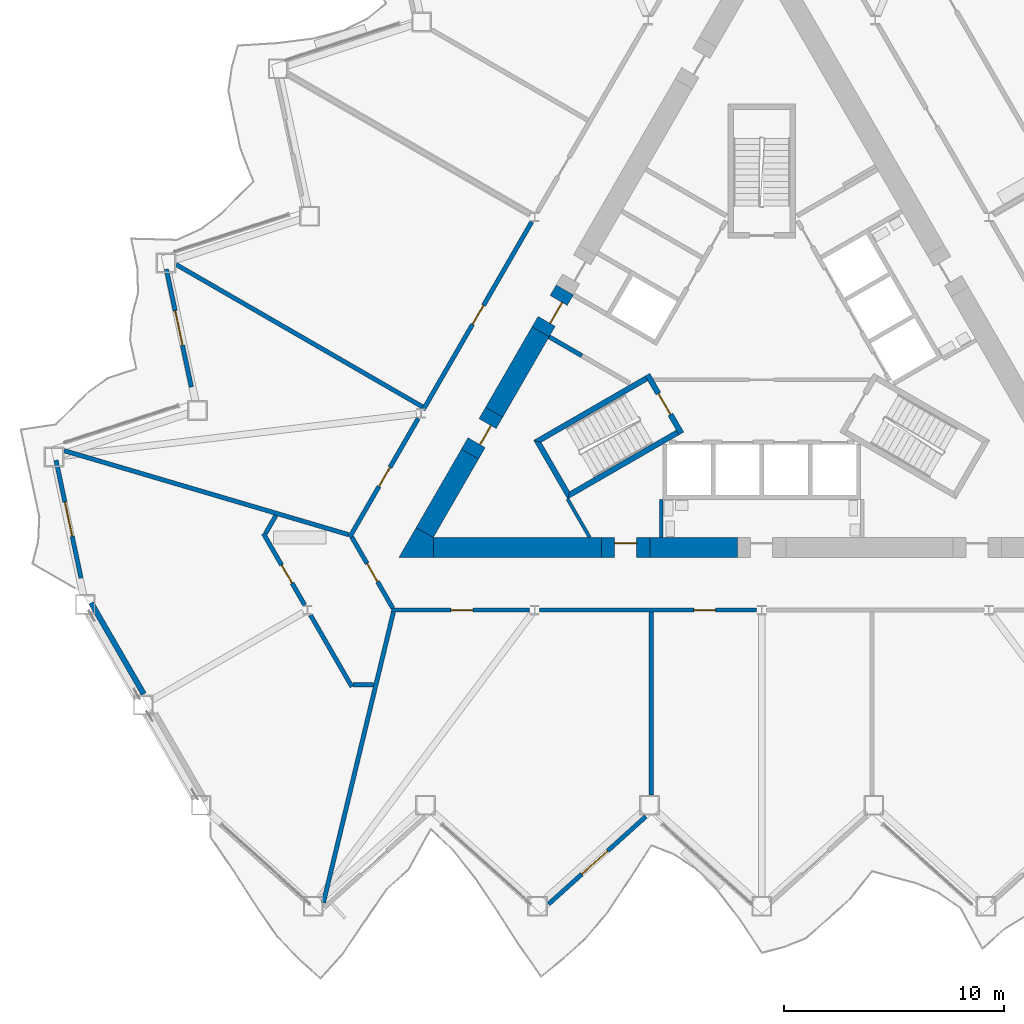
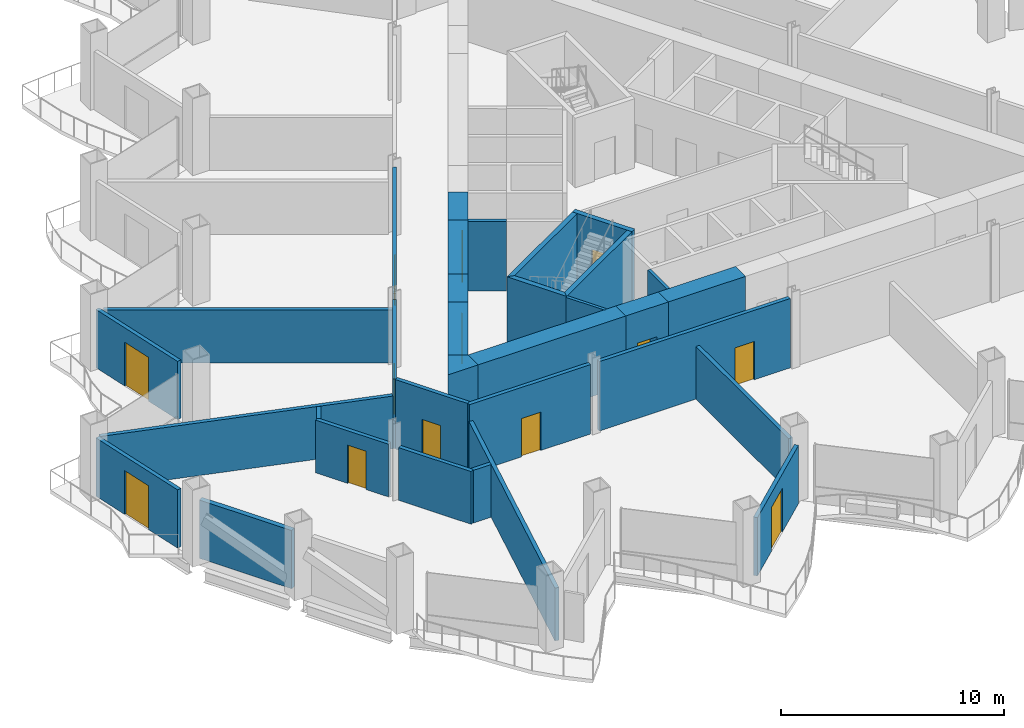
# One storey, part 10 of 21: 32 walls, 13 doors, 13 openings.
"""IFC4 building model written with IfcOpenShell, lengths in metres."""

from ifc_helpers import new_model, si_unit, direction, frame, frame_2d, origin, place, context, subcontext, project, spatial, polyline, rectangle, outline, extrude, material, layer, layer_set, type_object, element, fill, save


model = new_model("IFC4")

# Units and contexts
model_context = context("Model", 3, precision=1e-05, world=origin(), true_north=direction((0.0, 1.0)))
body_context = subcontext(model_context, "Body", "Model", "MODEL_VIEW")
ifc_project = project(units=[si_unit("LENGTHUNIT", "METRE"), si_unit("AREAUNIT", "SQUARE_METRE"), si_unit("VOLUMEUNIT", "CUBIC_METRE"), si_unit("PLANEANGLEUNIT", "RADIAN"), si_unit("MASSUNIT", "GRAM", prefix="KILO")], contexts=[model_context])

# Site, building, storey
site_placement = place(None, origin())
site = spatial("IfcSite", under=ifc_project, at=site_placement, CompositionType="ELEMENT")
building_placement = place(site_placement, origin())
building = spatial("IfcBuilding", under=site, at=building_placement, Name="Cormorant Prow Tower", CompositionType="ELEMENT")
storey_placement = place(building_placement, frame((0.0, 0.0, 112.199951171875)))
storey = spatial("IfcBuildingStorey", under=building, at=storey_placement, Name="L23", CompositionType="ELEMENT", Elevation=112.199951171875)

# Walls
ifc_material_1 = material(Name="Gypsum board partition")
ifc_layer_1 = layer(ifc_material_1, 0.14990234375)
ifc_layer_set_1 = layer_set([ifc_layer_1], Name="Gypsum board partition")
wall_type_1 = type_object("IfcWallType", Name="Core partition 150", PredefinedType="PARTITIONING", material=ifc_layer_set_1)
wall_1_placement = place(storey_placement, frame((-4.574951171875, -6.906005859375, 0.0), z_axis=(0.0, 0.0, 1.0), x_axis=(0.0, -1.0, 0.0)))
element("IfcWall", 1, at=wall_1_placement, inside=storey, type_object=wall_type_1, Name="Service room partition", PredefinedType="PARTITIONING", context=body_context, shape_type="SweptSolid", body=[
    extrude(rectangle(XDim=1.72021484375, YDim=0.14990234375, at=frame_2d((0.860107421875, 0.0))), origin(), (0.0, 0.0, 1.0), 3.800048828125),
])
wall_2_placement = place(storey_placement, frame((-8.82958984375, -6.880615234375, 0.0), z_axis=(0.0, 0.0, 1.0), x_axis=(0.500085890408, -0.865975809255, 0.0)))
element("IfcWall", 2, at=wall_2_placement, inside=storey, type_object=wall_type_1, Name="Service room partition", PredefinedType="PARTITIONING", context=body_context, shape_type="SweptSolid", body=[
    extrude(rectangle(XDim=2.015869140625, YDim=0.14990234375, at=frame_2d((1.0078125, 0.0))), origin(), (0.0, 0.0, 1.0), 3.800048828125),
])
ifc_material_2 = material(Name="Concrete 8000 psi", Category="concrete")
ifc_layer_2 = layer(ifc_material_2, 0.89990234375)
ifc_layer_set_2 = layer_set([ifc_layer_2], Name="Concrete 8000 psi")
wall_type_2 = type_object("IfcWallType", Name="Core shear wall 900", PredefinedType="SHEAR", material=ifc_layer_set_2)
wall_3_placement = place(storey_placement, frame((-14.941162109375, -9.076416015625, 0.0), z_axis=(0.0, 0.0, 1.0), x_axis=(1.0, 0.0, 0.0)))
element("IfcWall", 3, at=wall_3_placement, inside=storey, type_object=wall_type_2, Name="Core wall", PredefinedType="SHEAR", context=body_context, shape_type="SweptSolid", body=[
    extrude(rectangle(XDim=7.648681640625, YDim=0.89990234375, at=frame_2d((3.82421875, 0.0))), origin(), (0.0, 0.0, 1.0), 3.800048828125),
])
wall_4_placement = place(storey_placement, frame((-5.092529296875, -9.076416015625, 0.0), z_axis=(0.0, 0.0, 1.0), x_axis=(1.0, 0.0, 0.0)))
element("IfcWall", 4, at=wall_4_placement, inside=storey, type_object=wall_type_2, Name="Core wall", PredefinedType="SHEAR", context=body_context, shape_type="SweptSolid", body=[
    extrude(rectangle(XDim=3.992431640625, YDim=0.89990234375, at=frame_2d((1.99609375, 0.0))), origin(), (0.0, 0.0, 1.0), 3.800048828125),
])
wall_5_placement = place(storey_placement, frame((-10.060302734375, 0.7275390625, 0.0), z_axis=(0.0, 0.0, 1.0), x_axis=(-0.500021220092, -0.866013152012, 0.0)))
element("IfcWall", 5, at=wall_5_placement, inside=storey, type_object=wall_type_2, Name="Core wall", PredefinedType="SHEAR", context=body_context, shape_type="SweptSolid", body=[
    extrude(rectangle(XDim=4.220458984375, YDim=0.89990234375, at=frame_2d((2.1103515625, 0.0))), origin(), (0.0, 0.0, 1.0), 3.800048828125),
])
wall_6_placement = place(storey_placement, frame((-13.2705078125, -4.832763671875, 0.0), z_axis=(0.0, 0.0, 1.0), x_axis=(-0.499994272862, -0.866028710324, 0.0)))
element("IfcWall", 6, at=wall_6_placement, inside=storey, type_object=wall_type_2, Name="Core wall", PredefinedType="SHEAR", context=body_context, shape_type="SweptSolid", body=[
    extrude(rectangle(XDim=4.12060546875, YDim=0.89990234375, at=frame_2d((2.060302734375, 0.0))), origin(), (0.0, 0.0, 1.0), 3.800048828125),
])
wall_7_placement = place(storey_placement, origin())
element("IfcWall", 7, at=wall_7_placement, inside=storey, type_object=wall_type_2, Name="Core wall corner", PredefinedType="SHEAR", context=body_context, shape_type="SweptSolid", body=[
    extrude(outline(polyline([(-14.941162109375, -8.626220703125), (-14.941162109375, -9.5263671875), (-16.5, -9.5263671875), (-15.720703125, -8.17626953125), (-14.941162109375, -8.626220703125)])), origin(), (0.0, 0.0, 1.0), 3.800048828125),
])

# Wall, opening, door
wall_8_placement = place(storey_placement, frame((-12.170654296875, -2.927490234375, 0.0), z_axis=(0.0, 0.0, 1.0), x_axis=(-0.499946605688, -0.86605622881, 0.0)))
wall_8 = element("IfcWall", 8, at=wall_8_placement, inside=storey, type_object=wall_type_2, Name="Core wall door panel", PredefinedType="SHEAR", context=body_context, shape_type="SweptSolid", body=[
    extrude(rectangle(XDim=2.199951171875, YDim=0.89990234375, at=frame_2d((1.10009765625, 0.0))), origin(), (0.0, 0.0, 1.0), 3.800048828125),
])
opening_1_placement = place(wall_8_placement, frame((0.60009765625, 0.0, 0.0)))
opening_1 = element("IfcOpeningElement", 9, at=opening_1_placement, cuts=wall_8, Name="Opening L23-C17", PredefinedType="OPENING", context=body_context, shape_type="SweptSolid", body=[
    extrude(rectangle(XDim=1.0, YDim=2.10009765625, at=frame_2d((0.5, 1.050048828125))), frame((0.0, 0.4599609375, 0.0), z_axis=(0.0, -1.0, 0.0), x_axis=(1.0, 0.0, 0.0)), (0.0, 0.0, 1.0), 0.919921875),
])
ifc_material_3 = material(Name="Painted steel", Category="steel")
door_type_1 = type_object("IfcDoorType", Name="Service door 1000x2100", OperationType="NOTDEFINED", PredefinedType="DOOR", material=ifc_material_3)
door_1_placement = place(opening_1_placement, origin())
door_1 = element("IfcDoor", 10, at=door_1_placement, inside=storey, type_object=door_type_1, Name="Core door, Mechanical riser room", OperationType="SINGLE_SWING_RIGHT", OverallHeight=2.10009765625, OverallWidth=1.0, PredefinedType="DOOR", context=body_context, shape_type="SweptSolid", body=[
    extrude(rectangle(XDim=1.0, YDim=2.10009765625, at=frame_2d((0.5, 1.050048828125))), frame((0.0, 0.205078125, 0.0), z_axis=(0.0, -1.0, 0.0), x_axis=(1.0, 0.0, 0.0)), (0.0, 0.0, 1.0), 0.050048828125),
])
fill(opening_1, door_1)

wall_9_placement = place(storey_placement, frame((-7.29248046875, -9.076416015625, 0.0), z_axis=(0.0, 0.0, 1.0), x_axis=(1.0, 0.0, 0.0)))
wall_9 = element("IfcWall", 11, at=wall_9_placement, inside=storey, type_object=wall_type_2, Name="Core wall door panel", PredefinedType="SHEAR", context=body_context, shape_type="SweptSolid", body=[
    extrude(rectangle(XDim=2.199951171875, YDim=0.89990234375, at=frame_2d((1.10009765625, 0.0))), origin(), (0.0, 0.0, 1.0), 3.800048828125),
])
opening_2_placement = place(wall_9_placement, frame((0.60009765625, 0.0, 0.0)))
opening_2 = element("IfcOpeningElement", 12, at=opening_2_placement, cuts=wall_9, Name="Opening L23-C21", PredefinedType="OPENING", context=body_context, shape_type="SweptSolid", body=[
    extrude(rectangle(XDim=1.0, YDim=2.10009765625, at=frame_2d((0.5, 1.050048828125))), frame((0.0, 0.4599609375, 0.0), z_axis=(0.0, -1.0, 0.0), x_axis=(1.0, 0.0, 0.0)), (0.0, 0.0, 1.0), 0.919921875),
])
door_2_placement = place(opening_2_placement, origin())
door_2 = element("IfcDoor", 13, at=door_2_placement, inside=storey, type_object=door_type_1, Name="Core door, Mechanical riser room", OperationType="SINGLE_SWING_RIGHT", OverallHeight=2.10009765625, OverallWidth=1.0, PredefinedType="DOOR", context=body_context, shape_type="SweptSolid", body=[
    extrude(rectangle(XDim=1.0, YDim=2.10009765625, at=frame_2d((0.5, 1.050048828125))), frame((0.0, 0.205078125, 0.0), z_axis=(0.0, -1.0, 0.0), x_axis=(1.0, 0.0, 0.0)), (0.0, 0.0, 1.0), 0.050048828125),
])
fill(opening_2, door_2)

wall_10_placement = place(storey_placement, frame((-8.960205078125, 2.6328125, 0.0), z_axis=(0.0, 0.0, 1.0), x_axis=(-0.50002983664, -0.866008176907, 0.0)))
wall_10 = element("IfcWall", 14, at=wall_10_placement, inside=storey, type_object=wall_type_2, Name="Core wall door panel", PredefinedType="SHEAR", context=body_context, shape_type="SweptSolid", body=[
    extrude(rectangle(XDim=2.199951171875, YDim=0.89990234375, at=frame_2d((1.10009765625, 0.0))), origin(), (0.0, 0.0, 1.0), 3.800048828125),
])
opening_3_placement = place(wall_10_placement, frame((0.550048828125, 0.0, 0.0)))
opening_3 = element("IfcOpeningElement", 15, at=opening_3_placement, cuts=wall_10, Name="Opening L23-C22", PredefinedType="OPENING", context=body_context, shape_type="SweptSolid", body=[
    extrude(rectangle(XDim=1.10009765625, YDim=2.10009765625, at=frame_2d((0.550048828125, 1.050048828125))), frame((0.0, 0.4599609375, 0.0), z_axis=(0.0, -1.0, 0.0), x_axis=(1.0, 0.0, 0.0)), (0.0, 0.0, 1.0), 0.919921875),
])
ifc_material_4 = material(Name="Painted steel", Category="steel")
door_type_2 = type_object("IfcDoorType", Name="Core door 1100x2100", OperationType="NOTDEFINED", PredefinedType="DOOR", material=ifc_material_4)
door_3_placement = place(opening_3_placement, origin())
door_3 = element("IfcDoor", 16, at=door_3_placement, inside=storey, type_object=door_type_2, Name="Core door, lift lobby", OperationType="SINGLE_SWING_RIGHT", OverallHeight=2.10009765625, OverallWidth=1.10009765625, PredefinedType="DOOR", context=body_context, shape_type="SweptSolid", body=[
    extrude(rectangle(XDim=1.10009765625, YDim=2.10009765625, at=frame_2d((0.550048828125, 1.050048828125))), frame((0.0, 0.205078125, 0.0), z_axis=(0.0, -1.0, 0.0), x_axis=(1.0, 0.0, 0.0)), (0.0, 0.0, 1.0), 0.050048828125),
])
fill(opening_3, door_3)

ifc_material_5 = material(Name="Gypsum board corridor wall")
ifc_layer_3 = layer(ifc_material_5, 0.199951171875)
ifc_layer_set_3 = layer_set([ifc_layer_3], Name="Gypsum board corridor wall")
wall_type_3 = type_object("IfcWallType", Name="Corridor wall 200", PredefinedType="PARTITIONING", material=ifc_layer_set_3)
wall_11_placement = place(storey_placement, frame((-10.10107421875, -11.92626953125, 0.0), z_axis=(0.0, 0.0, 1.0), x_axis=(1.0, 0.0, 0.0)))
wall_11 = element("IfcWall", 17, at=wall_11_placement, inside=storey, type_object=wall_type_3, Name="Corridor wall", PredefinedType="PARTITIONING", context=body_context, shape_type="SweptSolid", body=[
    extrude(rectangle(XDim=9.873779296875, YDim=0.199951171875, at=frame_2d((4.93701171875, 0.0))), origin(), (0.0, 0.0, 1.0), 3.800048828125),
])
opening_4_placement = place(wall_11_placement, frame((7.009521484375, 0.0, 0.0)))
opening_4 = element("IfcOpeningElement", 18, at=opening_4_placement, cuts=wall_11, Name="Opening L23-F02", PredefinedType="OPENING", context=body_context, shape_type="SweptSolid", body=[
    extrude(rectangle(XDim=1.0, YDim=2.10009765625, at=frame_2d((0.5, 1.050048828125))), frame((0.0, 0.10986328125, 0.0), z_axis=(0.0, -1.0, 0.0), x_axis=(1.0, 0.0, 0.0)), (0.0, 0.0, 1.0), 0.219970703125),
])
ifc_material_6 = material(Name="Timber door leaf", Category="wood")
door_type_3 = type_object("IfcDoorType", Name="Office door 1000x2100", OperationType="NOTDEFINED", PredefinedType="DOOR", material=ifc_material_6)
door_4_placement = place(opening_4_placement, origin())
door_4 = element("IfcDoor", 19, at=door_4_placement, inside=storey, type_object=door_type_3, Name="Co-working room door", OperationType="SINGLE_SWING_RIGHT", OverallHeight=2.10009765625, OverallWidth=1.0, PredefinedType="DOOR", context=body_context, shape_type="SweptSolid", body=[
    extrude(rectangle(XDim=1.0, YDim=2.10009765625, at=frame_2d((0.5, 1.050048828125))), frame((0.0, 0.02490234375, 0.0), z_axis=(0.0, -1.0, 0.0), x_axis=(1.0, 0.0, 0.0)), (0.0, 0.0, 1.0), 0.050048828125),
])
fill(opening_4, door_4)

wall_12_placement = place(storey_placement, frame((-15.401611328125, -2.823486328125, 0.0), z_axis=(0.0, 0.0, 1.0), x_axis=(0.500023237168, 0.866011987384, 0.0)))
wall_12 = element("IfcWall", 20, at=wall_12_placement, inside=storey, type_object=wall_type_3, Name="Corridor wall", PredefinedType="PARTITIONING", context=body_context, shape_type="SweptSolid", body=[
    extrude(rectangle(XDim=9.88330078125, YDim=0.199951171875, at=frame_2d((4.941650390625, 0.0))), origin(), (0.0, 0.0, 1.0), 3.800048828125),
])
opening_5_placement = place(wall_12_placement, frame((4.4921875, 0.0, 0.0)))
opening_5 = element("IfcOpeningElement", 21, at=opening_5_placement, cuts=wall_12, Name="Opening L23-F11", PredefinedType="OPENING", context=body_context, shape_type="SweptSolid", body=[
    extrude(rectangle(XDim=1.0, YDim=2.10009765625, at=frame_2d((0.5, 1.050048828125))), frame((0.0, 0.10986328125, 0.0), z_axis=(0.0, -1.0, 0.0), x_axis=(1.0, 0.0, 0.0)), (0.0, 0.0, 1.0), 0.219970703125),
])
door_5_placement = place(opening_5_placement, origin())
door_5 = element("IfcDoor", 22, at=door_5_placement, inside=storey, type_object=door_type_3, Name="Open-plan office door", OperationType="SINGLE_SWING_RIGHT", OverallHeight=2.10009765625, OverallWidth=1.0, PredefinedType="DOOR", context=body_context, shape_type="SweptSolid", body=[
    extrude(rectangle(XDim=1.0, YDim=2.10009765625, at=frame_2d((0.5, 1.050048828125))), frame((0.0, 0.02490234375, 0.0), z_axis=(0.0, -1.0, 0.0), x_axis=(1.0, 0.0, 0.0)), (0.0, 0.0, 1.0), 0.050048828125),
])
fill(opening_5, door_5)

wall_13_placement = place(storey_placement, frame((-16.830810546875, -11.92626953125, 0.0), z_axis=(0.0, 0.0, 1.0), x_axis=(1.0, 0.0, 0.0)))
wall_13 = element("IfcWall", 23, at=wall_13_placement, inside=storey, type_object=wall_type_3, Name="Corridor wall", PredefinedType="PARTITIONING", context=body_context, shape_type="SweptSolid", body=[
    extrude(rectangle(XDim=6.27490234375, YDim=0.199951171875, at=frame_2d((3.137451171875, 0.0))), origin(), (0.0, 0.0, 1.0), 3.800048828125),
])
opening_6_placement = place(wall_13_placement, frame((2.688232421875, 0.0, 0.0)))
opening_6 = element("IfcOpeningElement", 24, at=opening_6_placement, cuts=wall_13, Name="Opening L23-F01", PredefinedType="OPENING", context=body_context, shape_type="SweptSolid", body=[
    extrude(rectangle(XDim=1.0, YDim=2.10009765625, at=frame_2d((0.5, 1.050048828125))), frame((0.0, 0.10986328125, 0.0), z_axis=(0.0, -1.0, 0.0), x_axis=(1.0, 0.0, 0.0)), (0.0, 0.0, 1.0), 0.219970703125),
])
door_6_placement = place(opening_6_placement, origin())
door_6 = element("IfcDoor", 25, at=door_6_placement, inside=storey, type_object=door_type_3, Name="Tenant suite door", OperationType="SINGLE_SWING_RIGHT", OverallHeight=2.10009765625, OverallWidth=1.0, PredefinedType="DOOR", context=body_context, shape_type="SweptSolid", body=[
    extrude(rectangle(XDim=1.0, YDim=2.10009765625, at=frame_2d((0.5, 1.050048828125))), frame((0.0, 0.02490234375, 0.0), z_axis=(0.0, -1.0, 0.0), x_axis=(1.0, 0.0, 0.0)), (0.0, 0.0, 1.0), 0.050048828125),
])
fill(opening_6, door_6)

wall_14_placement = place(storey_placement, frame((-18.743896484375, -8.61279296875, 0.0), z_axis=(0.0, 0.0, 1.0), x_axis=(0.499997920671, 0.866026604282, 0.0)))
wall_14 = element("IfcWall", 26, at=wall_14_placement, inside=storey, type_object=wall_type_3, Name="Corridor wall", PredefinedType="PARTITIONING", context=body_context, shape_type="SweptSolid", body=[
    extrude(rectangle(XDim=6.23974609375, YDim=0.199951171875, at=frame_2d((3.119873046875, 0.0))), origin(), (0.0, 0.0, 1.0), 3.800048828125),
])
opening_7_placement = place(wall_14_placement, frame((2.67041015625, 0.0, 0.0)))
opening_7 = element("IfcOpeningElement", 27, at=opening_7_placement, cuts=wall_14, Name="Opening L23-F12", PredefinedType="OPENING", context=body_context, shape_type="SweptSolid", body=[
    extrude(rectangle(XDim=1.0, YDim=2.10009765625, at=frame_2d((0.5, 1.050048828125))), frame((0.0, 0.10986328125, 0.0), z_axis=(0.0, -1.0, 0.0), x_axis=(1.0, 0.0, 0.0)), (0.0, 0.0, 1.0), 0.219970703125),
])
door_7_placement = place(opening_7_placement, origin())
door_7 = element("IfcDoor", 28, at=door_7_placement, inside=storey, type_object=door_type_3, Name="Tenant suite door", OperationType="SINGLE_SWING_RIGHT", OverallHeight=2.10009765625, OverallWidth=1.0, PredefinedType="DOOR", context=body_context, shape_type="SweptSolid", body=[
    extrude(rectangle(XDim=1.0, YDim=2.10009765625, at=frame_2d((0.5, 1.050048828125))), frame((0.0, 0.02490234375, 0.0), z_axis=(0.0, -1.0, 0.0), x_axis=(1.0, 0.0, 0.0)), (0.0, 0.0, 1.0), 0.050048828125),
])
fill(opening_7, door_7)

wall_15_placement = place(storey_placement, frame((-18.643798828125, -8.61279296875, 0.0), z_axis=(0.0, 0.0, 1.0), x_axis=(0.499958791762, -0.866049194065, 0.0)))
wall_15 = element("IfcWall", 29, at=wall_15_placement, inside=storey, type_object=wall_type_3, Name="Corridor wall", PredefinedType="PARTITIONING", context=body_context, shape_type="SweptSolid", body=[
    extrude(rectangle(XDim=3.725830078125, YDim=0.199951171875, at=frame_2d((1.86279296875, 0.0))), origin(), (0.0, 0.0, 1.0), 3.800048828125),
])
opening_8_placement = place(wall_15_placement, frame((1.387939453125, 0.0, 0.0)))
opening_8 = element("IfcOpeningElement", 30, at=opening_8_placement, cuts=wall_15, Name="Opening L23-F13", PredefinedType="OPENING", context=body_context, shape_type="SweptSolid", body=[
    extrude(rectangle(XDim=0.949951171875, YDim=2.10009765625, at=frame_2d((0.47509765625, 1.050048828125))), frame((0.0, 0.10986328125, 0.0), z_axis=(0.0, -1.0, 0.0), x_axis=(1.0, 0.0, 0.0)), (0.0, 0.0, 1.0), 0.219970703125),
])
ifc_material_7 = material(Name="Timber door leaf", Category="wood")
door_type_4 = type_object("IfcDoorType", Name="Store door 950x2100", OperationType="NOTDEFINED", PredefinedType="DOOR", material=ifc_material_7)
door_8_placement = place(opening_8_placement, origin())
door_8 = element("IfcDoor", 31, at=door_8_placement, inside=storey, type_object=door_type_4, Name="Tea point and pantry door", OperationType="SINGLE_SWING_RIGHT", OverallHeight=2.10009765625, OverallWidth=0.949951171875, PredefinedType="DOOR", context=body_context, shape_type="SweptSolid", body=[
    extrude(rectangle(XDim=0.949951171875, YDim=2.10009765625, at=frame_2d((0.47509765625, 1.050048828125))), frame((0.0, 0.02490234375, 0.0), z_axis=(0.0, -1.0, 0.0), x_axis=(1.0, 0.0, 0.0)), (0.0, 0.0, 1.0), 0.050048828125),
])
fill(opening_8, door_8)

# Walls
ifc_material_8 = material(Name="Gypsum board demising wall")
ifc_layer_4 = layer(ifc_material_8, 0.199951171875)
ifc_layer_set_4 = layer_set([ifc_layer_4], Name="Gypsum board demising wall")
wall_type_4 = type_object("IfcWallType", Name="Demising wall 200", PredefinedType="PARTITIONING", material=ifc_layer_set_4)
wall_16_placement = place(storey_placement, frame((-19.939697265625, -25.244384765625, 0.0), z_axis=(0.0, 0.0, 1.0), x_axis=(0.234226353532, 0.972182089586, 0.0)))
element("IfcWall", 32, at=wall_16_placement, inside=storey, type_object=wall_type_4, Name="Demising wall", PredefinedType="PARTITIONING", context=body_context, shape_type="SweptSolid", body=[
    extrude(rectangle(XDim=13.599365234375, YDim=0.199951171875, at=frame_2d((6.7998046875, 0.0))), origin(), (0.0, 0.0, 1.0), 2.88525390625),
])
wall_17_placement = place(storey_placement, frame((-31.736083984375, -4.674560546875, 0.0), z_axis=(0.0, 0.0, 1.0), x_axis=(0.959053889024, -0.283223653581, 0.0)))
element("IfcWall", 33, at=wall_17_placement, inside=storey, type_object=wall_type_4, Name="Demising wall", PredefinedType="PARTITIONING", context=body_context, shape_type="SweptSolid", body=[
    extrude(rectangle(XDim=13.4990234375, YDim=0.199951171875, at=frame_2d((6.74951171875, 0.0))), origin(), (0.0, 0.0, 1.0), 2.88525390625),
])
wall_18_placement = place(storey_placement, frame((-26.63623046875, 3.789794921875, 0.0), z_axis=(0.0, 0.0, 1.0), x_axis=(0.866029074283, -0.499993642455, 0.0)))
element("IfcWall", 34, at=wall_18_placement, inside=storey, type_object=wall_type_4, Name="Demising wall", PredefinedType="PARTITIONING", context=body_context, shape_type="SweptSolid", body=[
    extrude(rectangle(XDim=12.936279296875, YDim=0.199951171875, at=frame_2d((6.46826171875, 0.0))), origin(), (0.0, 0.0, 1.0), 2.88525390625),
])
wall_19_placement = place(storey_placement, frame((-5.01806640625, -20.34716796875, 0.0), z_axis=(0.0, 0.0, 1.0), x_axis=(0.0, 1.0, 0.0)))
element("IfcWall", 35, at=wall_19_placement, inside=storey, type_object=wall_type_4, Name="Demising wall", PredefinedType="PARTITIONING", context=body_context, shape_type="SweptSolid", body=[
    extrude(rectangle(XDim=8.32080078125, YDim=0.199951171875, at=frame_2d((4.160400390625, 0.0))), origin(), (0.0, 0.0, 1.0), 2.88525390625),
])
wall_20_placement = place(storey_placement, frame((-20.525634765625, -12.15380859375, 0.0), z_axis=(0.0, 0.0, 1.0), x_axis=(0.500046282919, -0.86599868068, 0.0)))
element("IfcWall", 36, at=wall_20_placement, inside=storey, type_object=wall_type_4, Name="Demising wall", PredefinedType="PARTITIONING", context=body_context, shape_type="SweptSolid", body=[
    extrude(rectangle(XDim=3.763427734375, YDim=0.199951171875, at=frame_2d((1.8818359375, 0.0))), origin(), (0.0, 0.0, 1.0), 2.88525390625),
])

# Wall, opening, door
wall_21_placement = place(storey_placement, frame((-22.669921875, -8.439697265625, 0.0), z_axis=(0.0, 0.0, 1.0), x_axis=(0.500018191375, -0.866014900734, 0.0)))
wall_21 = element("IfcWall", 37, at=wall_21_placement, inside=storey, type_object=wall_type_4, Name="Demising wall", PredefinedType="PARTITIONING", context=body_context, shape_type="SweptSolid", body=[
    extrude(rectangle(XDim=3.763427734375, YDim=0.199951171875, at=frame_2d((1.8818359375, 0.0))), origin(), (0.0, 0.0, 1.0), 2.88525390625),
])
opening_9_placement = place(wall_21_placement, frame((1.658203125, 0.0, 0.0)))
opening_9 = element("IfcOpeningElement", 38, at=opening_9_placement, cuts=wall_21, Name="Opening L23-F14", PredefinedType="OPENING", context=body_context, shape_type="SweptSolid", body=[
    extrude(rectangle(XDim=0.949951171875, YDim=2.10009765625, at=frame_2d((0.47509765625, 1.050048828125))), frame((0.0, 0.10986328125, 0.0), z_axis=(0.0, -1.0, 0.0), x_axis=(1.0, 0.0, 0.0)), (0.0, 0.0, 1.0), 0.219970703125),
])
door_9_placement = place(opening_9_placement, origin())
door_9 = element("IfcDoor", 39, at=door_9_placement, inside=storey, type_object=door_type_4, Name="Print and copy room door", OperationType="SINGLE_SWING_LEFT", OverallHeight=2.10009765625, OverallWidth=0.949951171875, PredefinedType="DOOR", context=body_context, shape_type="SweptSolid", body=[
    extrude(rectangle(XDim=0.949951171875, YDim=2.10009765625, at=frame_2d((0.47509765625, 1.050048828125))), frame((0.0, 0.02490234375, 0.0), z_axis=(0.0, -1.0, 0.0), x_axis=(1.0, 0.0, 0.0)), (0.0, 0.0, 1.0), 0.050048828125),
])
fill(opening_9, door_9)

# Walls
for number, where, z_axis, x_axis, name in (
    (40, (-18.593994140625, -15.326416015625, 0.0), (0.0, 0.0, 1.0), (1.0, 0.0, 0.0), "Demising wall"),
    (41, (-22.56982421875, -8.439697265625, 0.0), (0.0, 0.0, 1.0), (0.500006071987, 0.866021898093, 0.0), "Demising wall"),
):
    element("IfcWall", number, at=place(storey_placement, frame(where, z_axis=z_axis, x_axis=x_axis)), inside=storey, type_object=wall_type_4, Name=name, PredefinedType="PARTITIONING", context=body_context, shape_type="SweptSolid", body=[
        extrude(rectangle(XDim=0.94384765625, YDim=0.199951171875, at=frame_2d((0.471923828125, 0.0))), origin(), (0.0, 0.0, 1.0), 2.88525390625),
    ])
ifc_material_9 = material(Name="Concrete 8000 psi", Category="concrete")
ifc_layer_5 = layer(ifc_material_9, 0.199951171875)
ifc_layer_set_5 = layer_set([ifc_layer_5], Name="Concrete 8000 psi")
wall_type_5 = type_object("IfcWallType", Name="Lift shaft wall 200", PredefinedType="SHEAR", material=ifc_layer_set_5)
wall_22_placement = place(storey_placement, frame((-8.180908203125, -0.357421875, 0.0), z_axis=(0.0, 0.0, 1.0), x_axis=(-0.866024871741, 0.500000921525, 0.0)))
element("IfcWall", 42, at=wall_22_placement, inside=storey, type_object=wall_type_5, Name="Lobby passage wall", PredefinedType="SHEAR", context=body_context, shape_type="SweptSolid", body=[
    extrude(rectangle(XDim=1.72021484375, YDim=0.199951171875, at=frame_2d((0.860107421875, 0.0))), origin(), (0.0, 0.0, 1.0), 3.800048828125),
])
ifc_material_10 = material(Name="Concrete 8000 psi", Category="concrete")
ifc_layer_6 = layer(ifc_material_10, 0.25)
ifc_layer_set_6 = layer_set([ifc_layer_6], Name="Concrete 8000 psi")
wall_type_6 = type_object("IfcWallType", Name="Stair wall 250", PredefinedType="SHEAR", material=ifc_layer_set_6)
wall_23_placement = place(storey_placement, origin())
element("IfcWall", 43, at=wall_23_placement, inside=storey, type_object=wall_type_6, Name="Stair ST1 enclosure wall (flank)", PredefinedType="SHEAR", context=body_context, shape_type="SweptSolid", body=[
    extrude(outline(polyline([(-5.30712890625, -1.28125), (-10.37353515625, -4.206298828125), (-10.031982421875, -4.2978515625), (-5.18212890625, -1.497802734375), (-5.30712890625, -1.28125)])), origin(), (0.0, 0.0, 1.0), 3.800048828125),
])
wall_24_placement = place(storey_placement, origin())
element("IfcWall", 44, at=wall_24_placement, inside=storey, type_object=wall_type_6, Name="Stair ST1 enclosure wall (end)", PredefinedType="SHEAR", context=body_context, shape_type="SweptSolid", body=[
    extrude(outline(polyline([(-10.37353515625, -4.206298828125), (-8.82958984375, -6.880615234375), (-8.738037109375, -6.5390625), (-10.031982421875, -4.2978515625), (-10.37353515625, -4.206298828125)])), origin(), (0.0, 0.0, 1.0), 3.800048828125),
])
wall_25_placement = place(storey_placement, origin())
element("IfcWall", 45, at=wall_25_placement, inside=storey, type_object=wall_type_6, Name="Stair ST1 enclosure wall (flank)", PredefinedType="SHEAR", context=body_context, shape_type="SweptSolid", body=[
    extrude(outline(polyline([(-8.738037109375, -6.5390625), (-8.82958984375, -6.880615234375), (-3.76318359375, -3.95556640625), (-3.88818359375, -3.739013671875), (-8.738037109375, -6.5390625)])), origin(), (0.0, 0.0, 1.0), 3.800048828125),
])

# Wall, opening, door
wall_26_placement = place(storey_placement, frame((-5.198974609375, -1.21875, 0.0), z_axis=(0.0, 0.0, 1.0), x_axis=(0.499982516597, -0.866035497597, 0.0)))
wall_26 = element("IfcWall", 46, at=wall_26_placement, inside=storey, type_object=wall_type_6, Name="Stair ST1 door wall", PredefinedType="SHEAR", context=body_context, shape_type="SweptSolid", body=[
    extrude(rectangle(XDim=3.087890625, YDim=0.25, at=frame_2d((1.5439453125, 0.0))), origin(), (0.0, 0.0, 1.0), 3.800048828125),
])
opening_10_placement = place(wall_26_placement, frame((0.993896484375, 0.0, 0.0)))
opening_10 = element("IfcOpeningElement", 47, at=opening_10_placement, cuts=wall_26, Name="Opening L23-C12", PredefinedType="OPENING", context=body_context, shape_type="SweptSolid", body=[
    extrude(rectangle(XDim=1.10009765625, YDim=2.10009765625, at=frame_2d((0.550048828125, 1.050048828125))), frame((0.0, 0.135009765625, 0.0), z_axis=(0.0, -1.0, 0.0), x_axis=(1.0, 0.0, 0.0)), (0.0, 0.0, 1.0), 0.27001953125),
])
ifc_material_11 = material(Name="Painted steel", Category="steel")
door_type_5 = type_object("IfcDoorType", Name="Stair door 1100x2100", OperationType="NOTDEFINED", PredefinedType="DOOR", material=ifc_material_11)
door_10_placement = place(opening_10_placement, origin())
door_10 = element("IfcDoor", 48, at=door_10_placement, inside=storey, type_object=door_type_5, Name="Stair ST1 door", OperationType="SINGLE_SWING_LEFT", OverallHeight=2.10009765625, OverallWidth=1.10009765625, PredefinedType="DOOR", context=body_context, shape_type="SweptSolid", body=[
    extrude(rectangle(XDim=1.10009765625, YDim=2.10009765625, at=frame_2d((0.550048828125, 1.050048828125))), frame((0.0, 0.02490234375, 0.0), z_axis=(0.0, -1.0, 0.0), x_axis=(1.0, 0.0, 0.0)), (0.0, 0.0, 1.0), 0.050048828125),
])
fill(opening_10, door_10)

# Wall
ifc_material_12 = material(Name="Terracotta", Category="masonry")
ifc_layer_7 = layer(ifc_material_12, 0.25)
ifc_layer_set_7 = layer_set([ifc_layer_7], Name="Terracotta")
wall_type_7 = type_object("IfcWallType", Name="Terracotta bay wall 250", PredefinedType="SOLIDWALL", material=ifc_layer_set_7)
wall_27_placement = place(storey_placement, frame((-30.50048828125, -11.604248046875, 0.0), z_axis=(0.0, 0.0, 1.0), x_axis=(0.499984810975, -0.866034172995, 0.0)))
element("IfcWall", 49, at=wall_27_placement, inside=storey, type_object=wall_type_7, Name="Terracotta bay wall WSW00", PredefinedType="SOLIDWALL", context=body_context, shape_type="SweptSolid", body=[
    extrude(rectangle(XDim=4.779541015625, YDim=0.25, at=frame_2d((2.3896484375, 0.0))), origin(), (0.0, 0.0, 1.0), 3.18896484375),
])

# Wall, opening, door
ifc_material_13 = material(Name="Terracotta", Category="masonry")
ifc_layer_8 = layer(ifc_material_13, 0.199951171875)
ifc_layer_set_8 = layer_set([ifc_layer_8], Name="Terracotta")
wall_type_8 = type_object("IfcWallType", Name="Terracotta jamb wall 200", PredefinedType="SOLIDWALL", material=ifc_layer_set_8)
wall_28_placement = place(storey_placement, frame((-9.6962890625, -25.30322265625, 0.0), z_axis=(0.0, 0.0, 1.0), x_axis=(0.743141307259, 0.669134513716, 0.0)))
wall_28 = element("IfcWall", 50, at=wall_28_placement, inside=storey, type_object=wall_type_8, Name="Terracotta jamb wall S03", PredefinedType="SOLIDWALL", context=body_context, shape_type="SweptSolid", body=[
    extrude(rectangle(XDim=5.957763671875, YDim=0.199951171875, at=frame_2d((2.97900390625, 0.0))), origin(), (0.0, 0.0, 1.0), 3.18896484375),
])
opening_11_placement = place(wall_28_placement, frame((2.029052734375, 0.0, 0.0)))
opening_11 = element("IfcOpeningElement", 51, at=opening_11_placement, cuts=wall_28, Name="Opening ED23.02", PredefinedType="OPENING", context=body_context, shape_type="SweptSolid", body=[
    extrude(rectangle(XDim=1.60009765625, YDim=2.39990234375, at=frame_2d((0.800048828125, 1.199951171875))), frame((0.0, 0.10986328125, 0.0), z_axis=(0.0, -1.0, 0.0), x_axis=(1.0, 0.0, 0.0)), (0.0, 0.0, 1.0), 0.219970703125),
])
ifc_material_14 = material(Name="Aluminium 6063-T6", Category="aluminium")
door_type_6 = type_object("IfcDoorType", Name="Balcony door 1600x2400", OperationType="DOUBLE_DOOR_SINGLE_SWING", PredefinedType="DOOR", material=ifc_material_14)
door_11_placement = place(opening_11_placement, origin())
door_11 = element("IfcDoor", 52, at=door_11_placement, inside=storey, type_object=door_type_6, Name="Balcony door S03 ED23.02", OperationType="DOUBLE_DOOR_SINGLE_SWING", OverallHeight=2.39990234375, OverallWidth=1.60009765625, PredefinedType="DOOR", context=body_context, shape_type="SweptSolid", body=[
    extrude(rectangle(XDim=1.60009765625, YDim=2.39990234375, at=frame_2d((0.800048828125, 1.199951171875))), frame((0.0, 0.02490234375, 0.0), z_axis=(0.0, -1.0, 0.0), x_axis=(1.0, 0.0, 0.0)), (0.0, 0.0, 1.0), 0.050048828125),
])
fill(opening_11, door_11)

wall_29_placement = place(storey_placement, frame((-27.082763671875, 3.5791015625, 0.0), z_axis=(0.0, 0.0, 1.0), x_axis=(0.207898180805, -0.978150472278, 0.0)))
wall_29 = element("IfcWall", 53, at=wall_29_placement, inside=storey, type_object=wall_type_8, Name="Terracotta jamb wall WNW07", PredefinedType="SOLIDWALL", context=body_context, shape_type="SweptSolid", body=[
    extrude(rectangle(XDim=5.48046875, YDim=0.199951171875, at=frame_2d((2.740234375, 0.0))), origin(), (0.0, 0.0, 1.0), 3.18896484375),
])
opening_12_placement = place(wall_29_placement, frame((1.940185546875, 0.0, 0.0)))
opening_12 = element("IfcOpeningElement", 54, at=opening_12_placement, cuts=wall_29, Name="Opening ED23.14", PredefinedType="OPENING", context=body_context, shape_type="SweptSolid", body=[
    extrude(rectangle(XDim=1.60009765625, YDim=2.39990234375, at=frame_2d((0.800048828125, 1.199951171875))), frame((0.0, 0.10986328125, 0.0), z_axis=(0.0, -1.0, 0.0), x_axis=(1.0, 0.0, 0.0)), (0.0, 0.0, 1.0), 0.219970703125),
])
door_12_placement = place(opening_12_placement, origin())
door_12 = element("IfcDoor", 55, at=door_12_placement, inside=storey, type_object=door_type_6, Name="Balcony door WNW07 ED23.14", OperationType="DOUBLE_DOOR_SINGLE_SWING", OverallHeight=2.39990234375, OverallWidth=1.60009765625, PredefinedType="DOOR", context=body_context, shape_type="SweptSolid", body=[
    extrude(rectangle(XDim=1.60009765625, YDim=2.39990234375, at=frame_2d((0.800048828125, 1.199951171875))), frame((0.0, 0.02490234375, 0.0), z_axis=(0.0, -1.0, 0.0), x_axis=(1.0, 0.0, 0.0)), (0.0, 0.0, 1.0), 0.050048828125),
])
fill(opening_12, door_12)

wall_30_placement = place(storey_placement, frame((-32.100830078125, -5.112548828125, 0.0), z_axis=(0.0, 0.0, 1.0), x_axis=(0.207949862117, -0.978139486395, 0.0)))
wall_30 = element("IfcWall", 56, at=wall_30_placement, inside=storey, type_object=wall_type_8, Name="Terracotta jamb wall WNW09", PredefinedType="SOLIDWALL", context=body_context, shape_type="SweptSolid", body=[
    extrude(rectangle(XDim=5.48046875, YDim=0.199951171875, at=frame_2d((2.740234375, 0.0))), origin(), (0.0, 0.0, 1.0), 3.18896484375),
])
opening_13_placement = place(wall_30_placement, frame((1.940185546875, 0.0, 0.0)))
opening_13 = element("IfcOpeningElement", 57, at=opening_13_placement, cuts=wall_30, Name="Opening ED23.15", PredefinedType="OPENING", context=body_context, shape_type="SweptSolid", body=[
    extrude(rectangle(XDim=1.60009765625, YDim=2.39990234375, at=frame_2d((0.800048828125, 1.199951171875))), frame((0.0, 0.10986328125, 0.0), z_axis=(0.0, -1.0, 0.0), x_axis=(1.0, 0.0, 0.0)), (0.0, 0.0, 1.0), 0.219970703125),
])
door_13_placement = place(opening_13_placement, origin())
door_13 = element("IfcDoor", 58, at=door_13_placement, inside=storey, type_object=door_type_6, Name="Balcony door WNW09 ED23.15", OperationType="DOUBLE_DOOR_SINGLE_SWING", OverallHeight=2.39990234375, OverallWidth=1.60009765625, PredefinedType="DOOR", context=body_context, shape_type="SweptSolid", body=[
    extrude(rectangle(XDim=1.60009765625, YDim=2.39990234375, at=frame_2d((0.800048828125, 1.199951171875))), frame((0.0, 0.02490234375, 0.0), z_axis=(0.0, -1.0, 0.0), x_axis=(1.0, 0.0, 0.0)), (0.0, 0.0, 1.0), 0.050048828125),
])
fill(opening_13, door_13)

save(model, "model.ifc")
